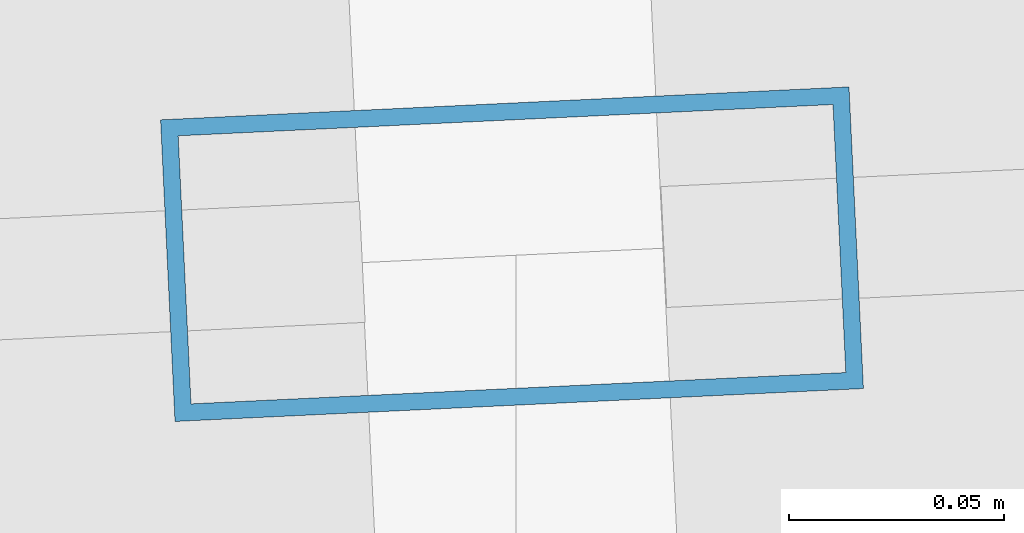
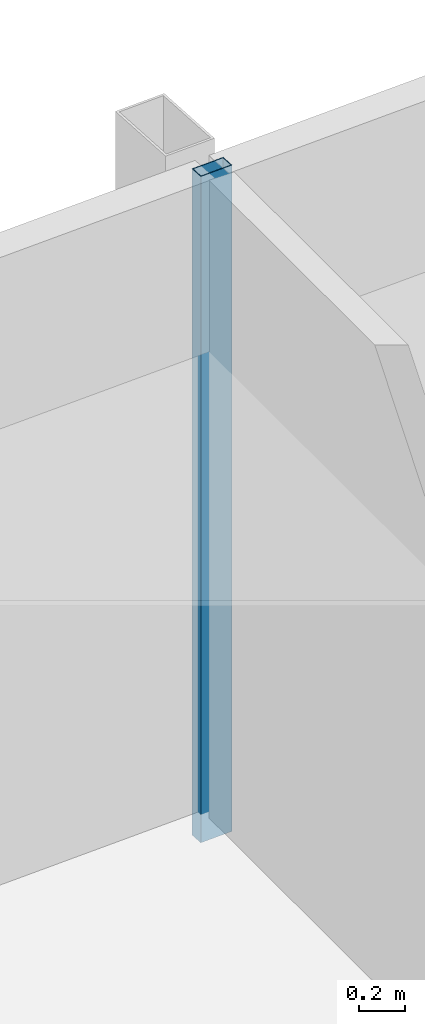
# One storey, part 21 of 39: 1 member, 1 element without a shape of its own.
"""IFC4 building model written with IfcOpenShell, lengths in metres."""

from ifc_helpers import new_model, si_unit, direction, frame, origin, origin_2d, place, context, subcontext, project, spatial, hollow_rectangle, extrude, material, material_profile, profile_set, type_object, element, aggregate, save


model = new_model("IFC4")

# Units and contexts
model_context = context("Model", 3, precision=1e-05, world=origin(), true_north=direction((0.0, 1.0)))
body_context = subcontext(model_context, "Body", "Model", "MODEL_VIEW")
ifc_project = project(units=[si_unit("LENGTHUNIT", "METRE"), si_unit("AREAUNIT", "SQUARE_METRE"), si_unit("VOLUMEUNIT", "CUBIC_METRE"), si_unit("PLANEANGLEUNIT", "RADIAN"), si_unit("MASSUNIT", "GRAM", prefix="KILO")], contexts=[model_context])

# Site, building, storey
site_placement = place(None, origin())
site = spatial("IfcSite", under=ifc_project, at=site_placement, CompositionType="ELEMENT")
building_placement = place(site_placement, origin())
building = spatial("IfcBuilding", under=site, at=building_placement, Name="Rekha Terrace Tower", CompositionType="ELEMENT")
storey_placement = place(building_placement, frame((0.0, 0.0, 225.199951171875)))
storey = spatial("IfcBuildingStorey", under=building, at=storey_placement, Name="L57", CompositionType="ELEMENT", Elevation=225.199951171875)

# Curtain wall, member
ifc_material_1 = material(Name="Aluminium framing", Category="aluminium")
curtain_wall_type = type_object("IfcCurtainWallType", Name="CW3 north unitised glazing", PredefinedType="USERDEFINED", material=ifc_material_1)
curtain_wall_placement = place(storey_placement, origin())
curtain_wall = element("IfcCurtainWall", 1, at=curtain_wall_placement, inside=storey, type_object=curtain_wall_type, Name="CW3 unitised curtain wall", ObjectType="UNITISED CURTAIN WALL", PredefinedType="USERDEFINED")
ifc_material_2 = material(Name="Aluminium mullion section", Category="aluminium")
ifc_material_profile = material_profile(ifc_material_2, hollow_rectangle(XDim=0.070068359375, YDim=0.159912109375, WallThickness=0.00390625, at=origin_2d()), Name="AL RHS 70x160")
ifc_profile_set = profile_set([ifc_material_profile], Name="Aluminium mullion section")
member_type = type_object("IfcMemberType", Name="CW3 mullion RHS 70 x 160", PredefinedType="MULLION", material=ifc_profile_set)
member_placement = place(storey_placement, frame((38.570068359375, 61.771240234375, 0.0), z_axis=(0.0, 0.0, 1.0), x_axis=(0.047758616983, -0.998858906204, 0.0)))
member = element("IfcMember", 2, at=member_placement, type_object=member_type, Name="CW3 mullion 2", PredefinedType="MULLION", context=body_context, shape_type="SweptSolid", body=[
    extrude(hollow_rectangle(XDim=0.070068359375, YDim=0.159912109375, WallThickness=0.00390625, at=origin_2d()), origin(), (0.0, 0.0, 1.0), 3.5),
])
aggregate(curtain_wall, [member])

save(model, "model.ifc")
